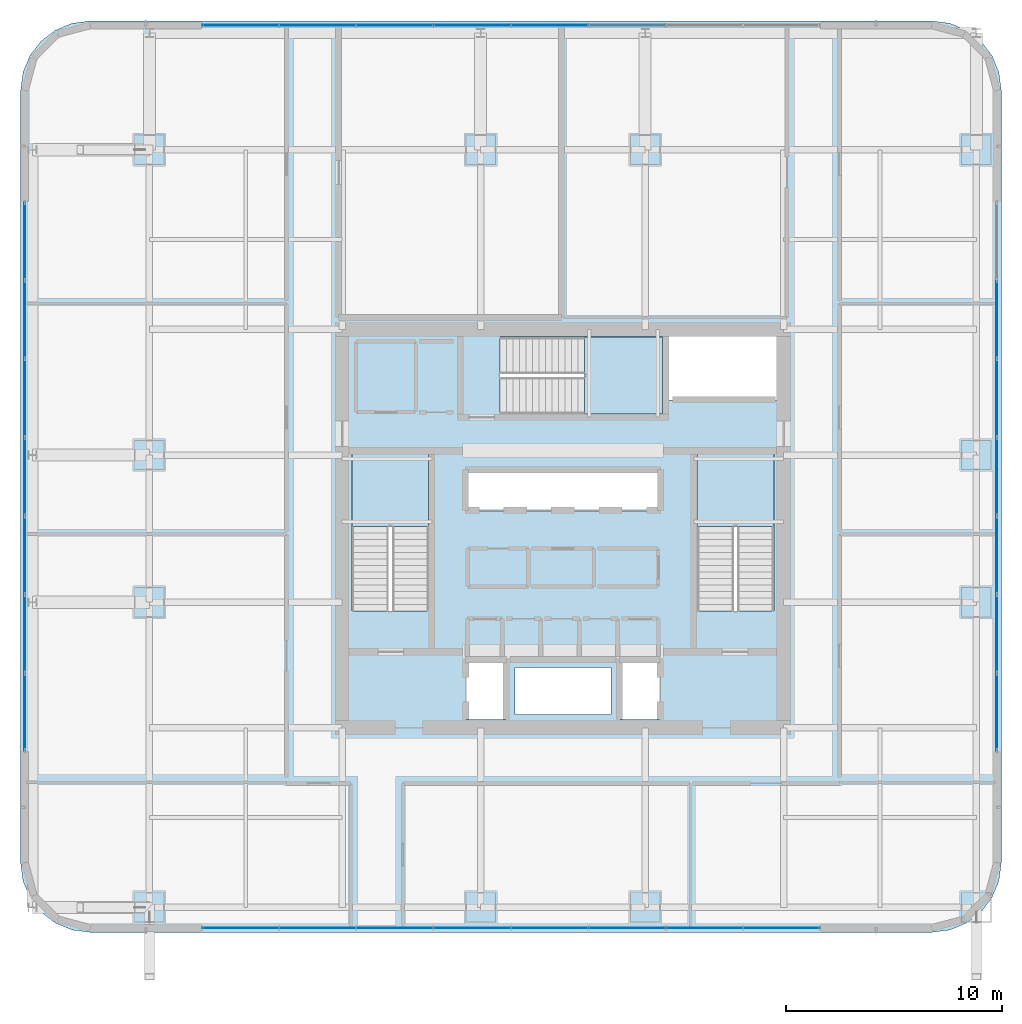
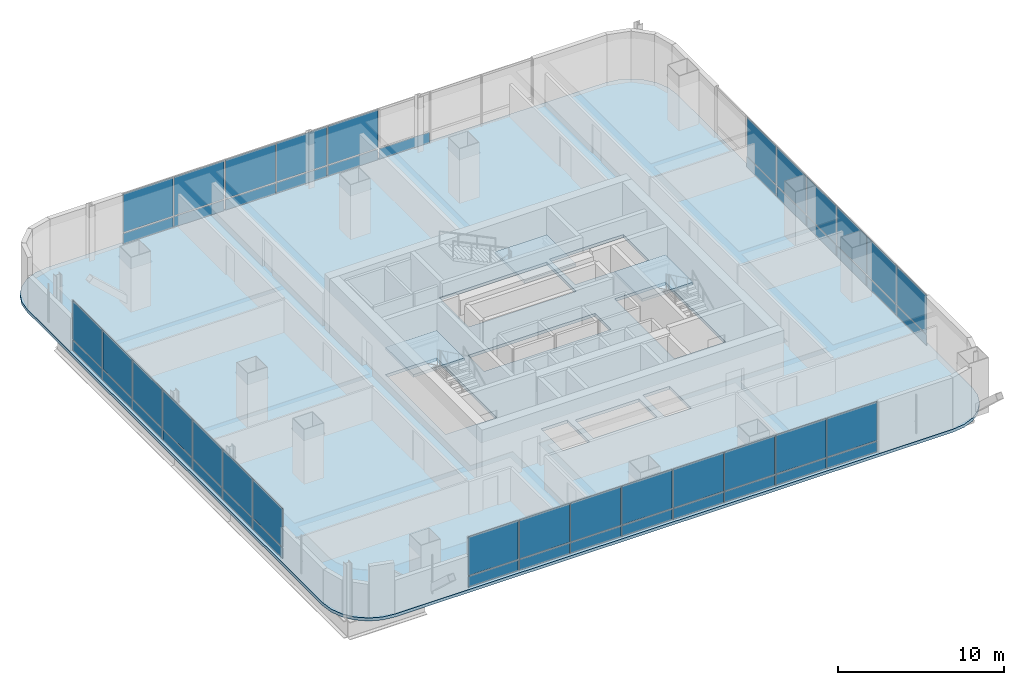
# One storey, part 29 of 47: 53 plates, 4 slabs, 7 elements without a shape of their own.
"""IFC4 building model written with IfcOpenShell, lengths in metres."""

from ifc_helpers import new_model, si_unit, direction, frame, origin, origin_2d, place, context, subcontext, project, spatial, polyline, rectangle, outline, extrude, material, layer, layer_set, type_object, element, aggregate, save


model = new_model("IFC4")

# Units and contexts
model_context = context("Model", 3, precision=1e-05, world=origin(), true_north=direction((0.0, 1.0)))
body_context = subcontext(model_context, "Body", "Model", "MODEL_VIEW")
ifc_project = project(units=[si_unit("LENGTHUNIT", "METRE"), si_unit("AREAUNIT", "SQUARE_METRE"), si_unit("VOLUMEUNIT", "CUBIC_METRE"), si_unit("PLANEANGLEUNIT", "RADIAN"), si_unit("MASSUNIT", "GRAM", prefix="KILO")], contexts=[model_context])

# Site, building, storey
site_placement = place(None, origin())
site = spatial("IfcSite", under=ifc_project, at=site_placement, CompositionType="ELEMENT")
building_placement = place(site_placement, origin())
building = spatial("IfcBuilding", under=site, at=building_placement, Name="Punatoya Terracotta Tower", CompositionType="ELEMENT")
storey_placement = place(building_placement, frame((0.0, 0.0, 168.14990234375)))
storey = spatial("IfcBuildingStorey", under=building, at=storey_placement, Name="L39", CompositionType="ELEMENT", Elevation=168.14990234375)

# Curtain wall, plates
ifc_material_1 = material(Name="Aluminium 6063-T6 + Double Low-E Glass", Category="aluminium")
curtain_wall_type = type_object("IfcCurtainWallType", Name="CW-M2", PredefinedType="NOTDEFINED", material=ifc_material_1)
curtain_wall_1_placement = place(storey_placement, origin())
curtain_wall_1 = element("IfcCurtainWall", 1, at=curtain_wall_1_placement, inside=storey, type_object=curtain_wall_type, Name="L39 Curtain Wall CW-L39-S01-1", PredefinedType="NOTDEFINED")
ifc_material_2 = material(Name="Double Low-E Acoustic Vision Glass", Category="glass")
ifc_layer_1 = layer(ifc_material_2, 0.031982421875)
ifc_layer_set_1 = layer_set([ifc_layer_1], Name="Double Low-E Acoustic Vision Glass")
plate_type_1 = type_object("IfcPlateType", Name="PLT-GLZ-32", PredefinedType="CURTAIN_PANEL", material=ifc_layer_set_1)
plate_1_placement = place(storey_placement, frame((-14.91259765625, -18.449951171875, 0.89013671875), z_axis=(0.0, 0.0, 1.0), x_axis=(1.0, 0.0, 0.0)))
plate_1 = element("IfcPlate", 2, at=plate_1_placement, type_object=plate_type_1, Name="CW-L39-S01-1 Vision Glass Panel 1", PredefinedType="CURTAIN_PANEL", context=body_context, shape_type="SweptSolid", body=[
    extrude(rectangle(XDim=3.489990234375, YDim=0.031982421875, at=origin_2d()), origin(), (0.0, 0.0, 1.0), 2.840087890625),
])
plate_2_placement = place(storey_placement, frame((-11.33740234375, -18.449951171875, 0.89013671875), z_axis=(0.0, 0.0, 1.0), x_axis=(1.0, 0.0, 0.0)))
plate_2 = element("IfcPlate", 3, at=plate_2_placement, type_object=plate_type_1, Name="CW-L39-S01-1 Vision Glass Panel 2", PredefinedType="CURTAIN_PANEL", context=body_context, shape_type="SweptSolid", body=[
    extrude(rectangle(XDim=3.489990234375, YDim=0.031982421875, at=origin_2d()), origin(), (0.0, 0.0, 1.0), 2.840087890625),
])
plate_3_placement = place(storey_placement, frame((-7.762451171875, -18.449951171875, 0.89013671875), z_axis=(0.0, 0.0, 1.0), x_axis=(1.0, 0.0, 0.0)))
plate_3 = element("IfcPlate", 4, at=plate_3_placement, type_object=plate_type_1, Name="CW-L39-S01-1 Vision Glass Panel 3", PredefinedType="CURTAIN_PANEL", context=body_context, shape_type="SweptSolid", body=[
    extrude(rectangle(XDim=3.489990234375, YDim=0.031982421875, at=origin_2d()), origin(), (0.0, 0.0, 1.0), 2.840087890625),
])
plate_4_placement = place(storey_placement, frame((-4.1875, -18.449951171875, 0.89013671875), z_axis=(0.0, 0.0, 1.0), x_axis=(1.0, 0.0, 0.0)))
plate_4 = element("IfcPlate", 5, at=plate_4_placement, type_object=plate_type_1, Name="CW-L39-S01-1 Vision Glass Panel 4", PredefinedType="CURTAIN_PANEL", context=body_context, shape_type="SweptSolid", body=[
    extrude(rectangle(XDim=3.489990234375, YDim=0.031982421875, at=origin_2d()), origin(), (0.0, 0.0, 1.0), 2.840087890625),
])
plate_5_placement = place(storey_placement, frame((-0.612548828125, -18.449951171875, 0.89013671875), z_axis=(0.0, 0.0, 1.0), x_axis=(1.0, 0.0, 0.0)))
plate_5 = element("IfcPlate", 6, at=plate_5_placement, type_object=plate_type_1, Name="CW-L39-S01-1 Vision Glass Panel 5", PredefinedType="CURTAIN_PANEL", context=body_context, shape_type="SweptSolid", body=[
    extrude(rectangle(XDim=3.489990234375, YDim=0.031982421875, at=origin_2d()), origin(), (0.0, 0.0, 1.0), 2.840087890625),
])
plate_6_placement = place(storey_placement, frame((2.96240234375, -18.449951171875, 0.89013671875), z_axis=(0.0, 0.0, 1.0), x_axis=(1.0, 0.0, 0.0)))
plate_6 = element("IfcPlate", 7, at=plate_6_placement, type_object=plate_type_1, Name="CW-L39-S01-1 Vision Glass Panel 6", PredefinedType="CURTAIN_PANEL", context=body_context, shape_type="SweptSolid", body=[
    extrude(rectangle(XDim=3.489990234375, YDim=0.031982421875, at=origin_2d()), origin(), (0.0, 0.0, 1.0), 2.840087890625),
])
plate_7_placement = place(storey_placement, frame((6.53759765625, -18.449951171875, 0.89013671875), z_axis=(0.0, 0.0, 1.0), x_axis=(1.0, 0.0, 0.0)))
plate_7 = element("IfcPlate", 8, at=plate_7_placement, type_object=plate_type_1, Name="CW-L39-S01-1 Vision Glass Panel 7", PredefinedType="CURTAIN_PANEL", context=body_context, shape_type="SweptSolid", body=[
    extrude(rectangle(XDim=3.489990234375, YDim=0.031982421875, at=origin_2d()), origin(), (0.0, 0.0, 1.0), 2.840087890625),
])
plate_8_placement = place(storey_placement, frame((10.112548828125, -18.449951171875, 0.89013671875), z_axis=(0.0, 0.0, 1.0), x_axis=(1.0, 0.0, 0.0)))
plate_8 = element("IfcPlate", 9, at=plate_8_placement, type_object=plate_type_1, Name="CW-L39-S01-1 Vision Glass Panel 8", PredefinedType="CURTAIN_PANEL", context=body_context, shape_type="SweptSolid", body=[
    extrude(rectangle(XDim=3.489990234375, YDim=0.031982421875, at=origin_2d()), origin(), (0.0, 0.0, 1.0), 2.840087890625),
])

curtain_wall_2_placement = place(storey_placement, origin())
curtain_wall_2 = element("IfcCurtainWall", 10, at=curtain_wall_2_placement, inside=storey, type_object=curtain_wall_type, Name="L39 Curtain Wall CW-L39-E05-1", PredefinedType="NOTDEFINED")
plate_9_placement = place(storey_placement, frame((20.050048828125, -8.485595703125, 0.89013671875), z_axis=(0.0, 0.0, 1.0), x_axis=(0.0, 1.0, 0.0)))
plate_9 = element("IfcPlate", 11, at=plate_9_placement, type_object=plate_type_1, Name="CW-L39-E05-1 Vision Glass Panel 1", PredefinedType="CURTAIN_PANEL", context=body_context, shape_type="SweptSolid", body=[
    extrude(rectangle(XDim=3.543701171875, YDim=0.031982421875, at=origin_2d()), origin(), (0.0, 0.0, 1.0), 2.840087890625),
])
plate_10_placement = place(storey_placement, frame((20.050048828125, -4.857177734375, 0.89013671875), z_axis=(0.0, 0.0, 1.0), x_axis=(0.0, 1.0, 0.0)))
plate_10 = element("IfcPlate", 12, at=plate_10_placement, type_object=plate_type_1, Name="CW-L39-E05-1 Vision Glass Panel 2", PredefinedType="CURTAIN_PANEL", context=body_context, shape_type="SweptSolid", body=[
    extrude(rectangle(XDim=3.543701171875, YDim=0.031982421875, at=origin_2d()), origin(), (0.0, 0.0, 1.0), 2.840087890625),
])
plate_11_placement = place(storey_placement, frame((20.050048828125, -1.228515625, 0.89013671875), z_axis=(0.0, 0.0, 1.0), x_axis=(0.0, 1.0, 0.0)))
plate_11 = element("IfcPlate", 13, at=plate_11_placement, type_object=plate_type_1, Name="CW-L39-E05-1 Vision Glass Panel 3", PredefinedType="CURTAIN_PANEL", context=body_context, shape_type="SweptSolid", body=[
    extrude(rectangle(XDim=3.543701171875, YDim=0.031982421875, at=origin_2d()), origin(), (0.0, 0.0, 1.0), 2.840087890625),
])
plate_12_placement = place(storey_placement, frame((20.050048828125, 2.39990234375, 0.89013671875), z_axis=(0.0, 0.0, 1.0), x_axis=(0.0, 1.0, 0.0)))
plate_12 = element("IfcPlate", 14, at=plate_12_placement, type_object=plate_type_1, Name="CW-L39-E05-1 Vision Glass Panel 4", PredefinedType="CURTAIN_PANEL", context=body_context, shape_type="SweptSolid", body=[
    extrude(rectangle(XDim=3.543701171875, YDim=0.031982421875, at=origin_2d()), origin(), (0.0, 0.0, 1.0), 2.840087890625),
])
plate_13_placement = place(storey_placement, frame((20.050048828125, 6.028564453125, 0.89013671875), z_axis=(0.0, 0.0, 1.0), x_axis=(0.0, 1.0, 0.0)))
plate_13 = element("IfcPlate", 15, at=plate_13_placement, type_object=plate_type_1, Name="CW-L39-E05-1 Vision Glass Panel 5", PredefinedType="CURTAIN_PANEL", context=body_context, shape_type="SweptSolid", body=[
    extrude(rectangle(XDim=3.543701171875, YDim=0.031982421875, at=origin_2d()), origin(), (0.0, 0.0, 1.0), 2.840087890625),
])
plate_14_placement = place(storey_placement, frame((20.050048828125, 9.656982421875, 0.89013671875), z_axis=(0.0, 0.0, 1.0), x_axis=(0.0, 1.0, 0.0)))
plate_14 = element("IfcPlate", 16, at=plate_14_placement, type_object=plate_type_1, Name="CW-L39-E05-1 Vision Glass Panel 6", PredefinedType="CURTAIN_PANEL", context=body_context, shape_type="SweptSolid", body=[
    extrude(rectangle(XDim=3.543701171875, YDim=0.031982421875, at=origin_2d()), origin(), (0.0, 0.0, 1.0), 2.840087890625),
])

curtain_wall_3_placement = place(storey_placement, origin())
curtain_wall_3 = element("IfcCurtainWall", 17, at=curtain_wall_3_placement, inside=storey, type_object=curtain_wall_type, Name="L39 Curtain Wall CW-L39-N09-1", PredefinedType="NOTDEFINED")
plate_15_placement = place(storey_placement, frame((-0.612548828125, 23.25, 0.89013671875), z_axis=(0.0, 0.0, 1.0), x_axis=(-1.0, 0.0, 0.0)))
plate_15 = element("IfcPlate", 18, at=plate_15_placement, type_object=plate_type_1, Name="CW-L39-N09-1 Vision Glass Panel 4", PredefinedType="CURTAIN_PANEL", context=body_context, shape_type="SweptSolid", body=[
    extrude(rectangle(XDim=3.489990234375, YDim=0.031982421875, at=origin_2d()), origin(), (0.0, 0.0, 1.0), 2.840087890625),
])
plate_16_placement = place(storey_placement, frame((-4.1875, 23.25, 0.89013671875), z_axis=(0.0, 0.0, 1.0), x_axis=(-1.0, 0.0, 0.0)))
plate_16 = element("IfcPlate", 19, at=plate_16_placement, type_object=plate_type_1, Name="CW-L39-N09-1 Vision Glass Panel 5", PredefinedType="CURTAIN_PANEL", context=body_context, shape_type="SweptSolid", body=[
    extrude(rectangle(XDim=3.489990234375, YDim=0.031982421875, at=origin_2d()), origin(), (0.0, 0.0, 1.0), 2.840087890625),
])
plate_17_placement = place(storey_placement, frame((-7.762451171875, 23.25, 0.89013671875), z_axis=(0.0, 0.0, 1.0), x_axis=(-1.0, 0.0, 0.0)))
plate_17 = element("IfcPlate", 20, at=plate_17_placement, type_object=plate_type_1, Name="CW-L39-N09-1 Vision Glass Panel 6", PredefinedType="CURTAIN_PANEL", context=body_context, shape_type="SweptSolid", body=[
    extrude(rectangle(XDim=3.489990234375, YDim=0.031982421875, at=origin_2d()), origin(), (0.0, 0.0, 1.0), 2.840087890625),
])
plate_18_placement = place(storey_placement, frame((-11.33740234375, 23.25, 0.89013671875), z_axis=(0.0, 0.0, 1.0), x_axis=(-1.0, 0.0, 0.0)))
plate_18 = element("IfcPlate", 21, at=plate_18_placement, type_object=plate_type_1, Name="CW-L39-N09-1 Vision Glass Panel 7", PredefinedType="CURTAIN_PANEL", context=body_context, shape_type="SweptSolid", body=[
    extrude(rectangle(XDim=3.489990234375, YDim=0.031982421875, at=origin_2d()), origin(), (0.0, 0.0, 1.0), 2.840087890625),
])
plate_19_placement = place(storey_placement, frame((-14.91259765625, 23.25, 0.89013671875), z_axis=(0.0, 0.0, 1.0), x_axis=(-1.0, 0.0, 0.0)))
plate_19 = element("IfcPlate", 22, at=plate_19_placement, type_object=plate_type_1, Name="CW-L39-N09-1 Vision Glass Panel 8", PredefinedType="CURTAIN_PANEL", context=body_context, shape_type="SweptSolid", body=[
    extrude(rectangle(XDim=3.489990234375, YDim=0.031982421875, at=origin_2d()), origin(), (0.0, 0.0, 1.0), 2.840087890625),
])

curtain_wall_4_placement = place(storey_placement, origin())
curtain_wall_4 = element("IfcCurtainWall", 23, at=curtain_wall_4_placement, inside=storey, type_object=curtain_wall_type, Name="L39 Curtain Wall CW-L39-W13-1", PredefinedType="NOTDEFINED")
plate_20_placement = place(storey_placement, frame((-24.85009765625, 13.28564453125, 0.89013671875), z_axis=(0.0, 0.0, 1.0), x_axis=(0.0, -1.0, 0.0)))
plate_20 = element("IfcPlate", 24, at=plate_20_placement, type_object=plate_type_1, Name="CW-L39-W13-1 Vision Glass Panel 1", PredefinedType="CURTAIN_PANEL", context=body_context, shape_type="SweptSolid", body=[
    extrude(rectangle(XDim=3.543701171875, YDim=0.031982421875, at=origin_2d()), origin(), (0.0, 0.0, 1.0), 2.840087890625),
])
plate_21_placement = place(storey_placement, frame((-24.85009765625, 9.656982421875, 0.89013671875), z_axis=(0.0, 0.0, 1.0), x_axis=(0.0, -1.0, 0.0)))
plate_21 = element("IfcPlate", 25, at=plate_21_placement, type_object=plate_type_1, Name="CW-L39-W13-1 Vision Glass Panel 2", PredefinedType="CURTAIN_PANEL", context=body_context, shape_type="SweptSolid", body=[
    extrude(rectangle(XDim=3.543701171875, YDim=0.031982421875, at=origin_2d()), origin(), (0.0, 0.0, 1.0), 2.840087890625),
])
plate_22_placement = place(storey_placement, frame((-24.85009765625, 6.028564453125, 0.89013671875), z_axis=(0.0, 0.0, 1.0), x_axis=(0.0, -1.0, 0.0)))
plate_22 = element("IfcPlate", 26, at=plate_22_placement, type_object=plate_type_1, Name="CW-L39-W13-1 Vision Glass Panel 3", PredefinedType="CURTAIN_PANEL", context=body_context, shape_type="SweptSolid", body=[
    extrude(rectangle(XDim=3.543701171875, YDim=0.031982421875, at=origin_2d()), origin(), (0.0, 0.0, 1.0), 2.840087890625),
])
plate_23_placement = place(storey_placement, frame((-24.85009765625, 2.39990234375, 0.89013671875), z_axis=(0.0, 0.0, 1.0), x_axis=(0.0, -1.0, 0.0)))
plate_23 = element("IfcPlate", 27, at=plate_23_placement, type_object=plate_type_1, Name="CW-L39-W13-1 Vision Glass Panel 4", PredefinedType="CURTAIN_PANEL", context=body_context, shape_type="SweptSolid", body=[
    extrude(rectangle(XDim=3.543701171875, YDim=0.031982421875, at=origin_2d()), origin(), (0.0, 0.0, 1.0), 2.840087890625),
])
plate_24_placement = place(storey_placement, frame((-24.85009765625, -1.228515625, 0.89013671875), z_axis=(0.0, 0.0, 1.0), x_axis=(0.0, -1.0, 0.0)))
plate_24 = element("IfcPlate", 28, at=plate_24_placement, type_object=plate_type_1, Name="CW-L39-W13-1 Vision Glass Panel 5", PredefinedType="CURTAIN_PANEL", context=body_context, shape_type="SweptSolid", body=[
    extrude(rectangle(XDim=3.543701171875, YDim=0.031982421875, at=origin_2d()), origin(), (0.0, 0.0, 1.0), 2.840087890625),
])
plate_25_placement = place(storey_placement, frame((-24.85009765625, -4.857177734375, 0.89013671875), z_axis=(0.0, 0.0, 1.0), x_axis=(0.0, -1.0, 0.0)))
plate_25 = element("IfcPlate", 29, at=plate_25_placement, type_object=plate_type_1, Name="CW-L39-W13-1 Vision Glass Panel 6", PredefinedType="CURTAIN_PANEL", context=body_context, shape_type="SweptSolid", body=[
    extrude(rectangle(XDim=3.543701171875, YDim=0.031982421875, at=origin_2d()), origin(), (0.0, 0.0, 1.0), 2.840087890625),
])
plate_26_placement = place(storey_placement, frame((-24.85009765625, -8.485595703125, 0.89013671875), z_axis=(0.0, 0.0, 1.0), x_axis=(0.0, -1.0, 0.0)))
plate_26 = element("IfcPlate", 30, at=plate_26_placement, type_object=plate_type_1, Name="CW-L39-W13-1 Vision Glass Panel 7", PredefinedType="CURTAIN_PANEL", context=body_context, shape_type="SweptSolid", body=[
    extrude(rectangle(XDim=3.543701171875, YDim=0.031982421875, at=origin_2d()), origin(), (0.0, 0.0, 1.0), 2.840087890625),
])

# Plate
ifc_material_3 = material(Name="Insulated Terracotta-Backed Spandrel Panel", Category="masonry")
ifc_layer_2 = layer(ifc_material_3, 0.044921875)
ifc_layer_set_2 = layer_set([ifc_layer_2], Name="Insulated Terracotta-Backed Spandrel Panel")
plate_type_2 = type_object("IfcPlateType", Name="PLT-SPN-45", PredefinedType="CURTAIN_PANEL", material=ifc_layer_set_2)
plate_27_placement = place(storey_placement, frame((-14.91259765625, -18.449951171875, 0.0400390625), z_axis=(0.0, 0.0, 1.0), x_axis=(1.0, 0.0, 0.0)))
plate_27 = element("IfcPlate", 31, at=plate_27_placement, type_object=plate_type_2, Name="CW-L39-S01-1 Terracotta Spandrel Panel 1", PredefinedType="CURTAIN_PANEL", context=body_context, shape_type="SweptSolid", body=[
    extrude(rectangle(XDim=3.489990234375, YDim=0.044921875, at=origin_2d()), origin(), (0.0, 0.0, 1.0), 0.77490234375),
])

plate_28_placement = place(storey_placement, frame((-11.33740234375, -18.449951171875, 0.0400390625), z_axis=(0.0, 0.0, 1.0), x_axis=(1.0, 0.0, 0.0)))
plate_28 = element("IfcPlate", 32, at=plate_28_placement, type_object=plate_type_2, Name="CW-L39-S01-1 Terracotta Spandrel Panel 2", PredefinedType="CURTAIN_PANEL", context=body_context, shape_type="SweptSolid", body=[
    extrude(rectangle(XDim=3.489990234375, YDim=0.044921875, at=origin_2d()), origin(), (0.0, 0.0, 1.0), 0.77490234375),
])

plate_29_placement = place(storey_placement, frame((-7.762451171875, -18.449951171875, 0.0400390625), z_axis=(0.0, 0.0, 1.0), x_axis=(1.0, 0.0, 0.0)))
plate_29 = element("IfcPlate", 33, at=plate_29_placement, type_object=plate_type_2, Name="CW-L39-S01-1 Terracotta Spandrel Panel 3", PredefinedType="CURTAIN_PANEL", context=body_context, shape_type="SweptSolid", body=[
    extrude(rectangle(XDim=3.489990234375, YDim=0.044921875, at=origin_2d()), origin(), (0.0, 0.0, 1.0), 0.77490234375),
])

plate_30_placement = place(storey_placement, frame((-4.1875, -18.449951171875, 0.0400390625), z_axis=(0.0, 0.0, 1.0), x_axis=(1.0, 0.0, 0.0)))
plate_30 = element("IfcPlate", 34, at=plate_30_placement, type_object=plate_type_2, Name="CW-L39-S01-1 Terracotta Spandrel Panel 4", PredefinedType="CURTAIN_PANEL", context=body_context, shape_type="SweptSolid", body=[
    extrude(rectangle(XDim=3.489990234375, YDim=0.044921875, at=origin_2d()), origin(), (0.0, 0.0, 1.0), 0.77490234375),
])

plate_31_placement = place(storey_placement, frame((-0.612548828125, -18.449951171875, 0.0400390625), z_axis=(0.0, 0.0, 1.0), x_axis=(1.0, 0.0, 0.0)))
plate_31 = element("IfcPlate", 35, at=plate_31_placement, type_object=plate_type_2, Name="CW-L39-S01-1 Terracotta Spandrel Panel 5", PredefinedType="CURTAIN_PANEL", context=body_context, shape_type="SweptSolid", body=[
    extrude(rectangle(XDim=3.489990234375, YDim=0.044921875, at=origin_2d()), origin(), (0.0, 0.0, 1.0), 0.77490234375),
])

plate_32_placement = place(storey_placement, frame((2.96240234375, -18.449951171875, 0.0400390625), z_axis=(0.0, 0.0, 1.0), x_axis=(1.0, 0.0, 0.0)))
plate_32 = element("IfcPlate", 36, at=plate_32_placement, type_object=plate_type_2, Name="CW-L39-S01-1 Terracotta Spandrel Panel 6", PredefinedType="CURTAIN_PANEL", context=body_context, shape_type="SweptSolid", body=[
    extrude(rectangle(XDim=3.489990234375, YDim=0.044921875, at=origin_2d()), origin(), (0.0, 0.0, 1.0), 0.77490234375),
])

plate_33_placement = place(storey_placement, frame((6.53759765625, -18.449951171875, 0.0400390625), z_axis=(0.0, 0.0, 1.0), x_axis=(1.0, 0.0, 0.0)))
plate_33 = element("IfcPlate", 37, at=plate_33_placement, type_object=plate_type_2, Name="CW-L39-S01-1 Terracotta Spandrel Panel 7", PredefinedType="CURTAIN_PANEL", context=body_context, shape_type="SweptSolid", body=[
    extrude(rectangle(XDim=3.489990234375, YDim=0.044921875, at=origin_2d()), origin(), (0.0, 0.0, 1.0), 0.77490234375),
])

plate_34_placement = place(storey_placement, frame((10.112548828125, -18.449951171875, 0.0400390625), z_axis=(0.0, 0.0, 1.0), x_axis=(1.0, 0.0, 0.0)))
plate_34 = element("IfcPlate", 38, at=plate_34_placement, type_object=plate_type_2, Name="CW-L39-S01-1 Terracotta Spandrel Panel 8", PredefinedType="CURTAIN_PANEL", context=body_context, shape_type="SweptSolid", body=[
    extrude(rectangle(XDim=3.489990234375, YDim=0.044921875, at=origin_2d()), origin(), (0.0, 0.0, 1.0), 0.77490234375),
])

aggregate(curtain_wall_1, [plate_27, plate_1, plate_28, plate_2, plate_29, plate_3, plate_30, plate_4, plate_31, plate_5, plate_32, plate_6, plate_33, plate_7, plate_34, plate_8])

plate_35_placement = place(storey_placement, frame((20.050048828125, -8.485595703125, 0.0400390625), z_axis=(0.0, 0.0, 1.0), x_axis=(0.0, 1.0, 0.0)))
plate_35 = element("IfcPlate", 39, at=plate_35_placement, type_object=plate_type_2, Name="CW-L39-E05-1 Terracotta Spandrel Panel 1", PredefinedType="CURTAIN_PANEL", context=body_context, shape_type="SweptSolid", body=[
    extrude(rectangle(XDim=3.543701171875, YDim=0.044921875, at=origin_2d()), origin(), (0.0, 0.0, 1.0), 0.77490234375),
])

plate_36_placement = place(storey_placement, frame((20.050048828125, -4.857177734375, 0.0400390625), z_axis=(0.0, 0.0, 1.0), x_axis=(0.0, 1.0, 0.0)))
plate_36 = element("IfcPlate", 40, at=plate_36_placement, type_object=plate_type_2, Name="CW-L39-E05-1 Terracotta Spandrel Panel 2", PredefinedType="CURTAIN_PANEL", context=body_context, shape_type="SweptSolid", body=[
    extrude(rectangle(XDim=3.543701171875, YDim=0.044921875, at=origin_2d()), origin(), (0.0, 0.0, 1.0), 0.77490234375),
])

plate_37_placement = place(storey_placement, frame((20.050048828125, -1.228515625, 0.0400390625), z_axis=(0.0, 0.0, 1.0), x_axis=(0.0, 1.0, 0.0)))
plate_37 = element("IfcPlate", 41, at=plate_37_placement, type_object=plate_type_2, Name="CW-L39-E05-1 Terracotta Spandrel Panel 3", PredefinedType="CURTAIN_PANEL", context=body_context, shape_type="SweptSolid", body=[
    extrude(rectangle(XDim=3.543701171875, YDim=0.044921875, at=origin_2d()), origin(), (0.0, 0.0, 1.0), 0.77490234375),
])

plate_38_placement = place(storey_placement, frame((20.050048828125, 2.39990234375, 0.0400390625), z_axis=(0.0, 0.0, 1.0), x_axis=(0.0, 1.0, 0.0)))
plate_38 = element("IfcPlate", 42, at=plate_38_placement, type_object=plate_type_2, Name="CW-L39-E05-1 Terracotta Spandrel Panel 4", PredefinedType="CURTAIN_PANEL", context=body_context, shape_type="SweptSolid", body=[
    extrude(rectangle(XDim=3.543701171875, YDim=0.044921875, at=origin_2d()), origin(), (0.0, 0.0, 1.0), 0.77490234375),
])

plate_39_placement = place(storey_placement, frame((20.050048828125, 6.028564453125, 0.0400390625), z_axis=(0.0, 0.0, 1.0), x_axis=(0.0, 1.0, 0.0)))
plate_39 = element("IfcPlate", 43, at=plate_39_placement, type_object=plate_type_2, Name="CW-L39-E05-1 Terracotta Spandrel Panel 5", PredefinedType="CURTAIN_PANEL", context=body_context, shape_type="SweptSolid", body=[
    extrude(rectangle(XDim=3.543701171875, YDim=0.044921875, at=origin_2d()), origin(), (0.0, 0.0, 1.0), 0.77490234375),
])

plate_40_placement = place(storey_placement, frame((20.050048828125, 9.656982421875, 0.0400390625), z_axis=(0.0, 0.0, 1.0), x_axis=(0.0, 1.0, 0.0)))
plate_40 = element("IfcPlate", 44, at=plate_40_placement, type_object=plate_type_2, Name="CW-L39-E05-1 Terracotta Spandrel Panel 6", PredefinedType="CURTAIN_PANEL", context=body_context, shape_type="SweptSolid", body=[
    extrude(rectangle(XDim=3.543701171875, YDim=0.044921875, at=origin_2d()), origin(), (0.0, 0.0, 1.0), 0.77490234375),
])

aggregate(curtain_wall_2, [plate_35, plate_9, plate_36, plate_10, plate_37, plate_11, plate_38, plate_12, plate_39, plate_13, plate_40, plate_14])

plate_41_placement = place(storey_placement, frame((2.96240234375, 23.25, 0.0400390625), z_axis=(0.0, 0.0, 1.0), x_axis=(-1.0, 0.0, 0.0)))
plate_41 = element("IfcPlate", 45, at=plate_41_placement, type_object=plate_type_2, Name="CW-L39-N09-1 Terracotta Spandrel Panel 3", PredefinedType="CURTAIN_PANEL", context=body_context, shape_type="SweptSolid", body=[
    extrude(rectangle(XDim=3.489990234375, YDim=0.044921875, at=origin_2d()), origin(), (0.0, 0.0, 1.0), 0.77490234375),
])

plate_42_placement = place(storey_placement, frame((-0.612548828125, 23.25, 0.0400390625), z_axis=(0.0, 0.0, 1.0), x_axis=(-1.0, 0.0, 0.0)))
plate_42 = element("IfcPlate", 46, at=plate_42_placement, type_object=plate_type_2, Name="CW-L39-N09-1 Terracotta Spandrel Panel 4", PredefinedType="CURTAIN_PANEL", context=body_context, shape_type="SweptSolid", body=[
    extrude(rectangle(XDim=3.489990234375, YDim=0.044921875, at=origin_2d()), origin(), (0.0, 0.0, 1.0), 0.77490234375),
])

plate_43_placement = place(storey_placement, frame((-4.1875, 23.25, 0.0400390625), z_axis=(0.0, 0.0, 1.0), x_axis=(-1.0, 0.0, 0.0)))
plate_43 = element("IfcPlate", 47, at=plate_43_placement, type_object=plate_type_2, Name="CW-L39-N09-1 Terracotta Spandrel Panel 5", PredefinedType="CURTAIN_PANEL", context=body_context, shape_type="SweptSolid", body=[
    extrude(rectangle(XDim=3.489990234375, YDim=0.044921875, at=origin_2d()), origin(), (0.0, 0.0, 1.0), 0.77490234375),
])

plate_44_placement = place(storey_placement, frame((-7.762451171875, 23.25, 0.0400390625), z_axis=(0.0, 0.0, 1.0), x_axis=(-1.0, 0.0, 0.0)))
plate_44 = element("IfcPlate", 48, at=plate_44_placement, type_object=plate_type_2, Name="CW-L39-N09-1 Terracotta Spandrel Panel 6", PredefinedType="CURTAIN_PANEL", context=body_context, shape_type="SweptSolid", body=[
    extrude(rectangle(XDim=3.489990234375, YDim=0.044921875, at=origin_2d()), origin(), (0.0, 0.0, 1.0), 0.77490234375),
])

plate_45_placement = place(storey_placement, frame((-11.33740234375, 23.25, 0.0400390625), z_axis=(0.0, 0.0, 1.0), x_axis=(-1.0, 0.0, 0.0)))
plate_45 = element("IfcPlate", 49, at=plate_45_placement, type_object=plate_type_2, Name="CW-L39-N09-1 Terracotta Spandrel Panel 7", PredefinedType="CURTAIN_PANEL", context=body_context, shape_type="SweptSolid", body=[
    extrude(rectangle(XDim=3.489990234375, YDim=0.044921875, at=origin_2d()), origin(), (0.0, 0.0, 1.0), 0.77490234375),
])

plate_46_placement = place(storey_placement, frame((-14.91259765625, 23.25, 0.0400390625), z_axis=(0.0, 0.0, 1.0), x_axis=(-1.0, 0.0, 0.0)))
plate_46 = element("IfcPlate", 50, at=plate_46_placement, type_object=plate_type_2, Name="CW-L39-N09-1 Terracotta Spandrel Panel 8", PredefinedType="CURTAIN_PANEL", context=body_context, shape_type="SweptSolid", body=[
    extrude(rectangle(XDim=3.489990234375, YDim=0.044921875, at=origin_2d()), origin(), (0.0, 0.0, 1.0), 0.77490234375),
])

aggregate(curtain_wall_3, [plate_41, plate_42, plate_15, plate_43, plate_16, plate_44, plate_17, plate_45, plate_18, plate_46, plate_19])

plate_47_placement = place(storey_placement, frame((-24.85009765625, 13.28564453125, 0.0400390625), z_axis=(0.0, 0.0, 1.0), x_axis=(0.0, -1.0, 0.0)))
plate_47 = element("IfcPlate", 51, at=plate_47_placement, type_object=plate_type_2, Name="CW-L39-W13-1 Terracotta Spandrel Panel 1", PredefinedType="CURTAIN_PANEL", context=body_context, shape_type="SweptSolid", body=[
    extrude(rectangle(XDim=3.543701171875, YDim=0.044921875, at=origin_2d()), origin(), (0.0, 0.0, 1.0), 0.77490234375),
])

plate_48_placement = place(storey_placement, frame((-24.85009765625, 9.656982421875, 0.0400390625), z_axis=(0.0, 0.0, 1.0), x_axis=(0.0, -1.0, 0.0)))
plate_48 = element("IfcPlate", 52, at=plate_48_placement, type_object=plate_type_2, Name="CW-L39-W13-1 Terracotta Spandrel Panel 2", PredefinedType="CURTAIN_PANEL", context=body_context, shape_type="SweptSolid", body=[
    extrude(rectangle(XDim=3.543701171875, YDim=0.044921875, at=origin_2d()), origin(), (0.0, 0.0, 1.0), 0.77490234375),
])

plate_49_placement = place(storey_placement, frame((-24.85009765625, 6.028564453125, 0.0400390625), z_axis=(0.0, 0.0, 1.0), x_axis=(0.0, -1.0, 0.0)))
plate_49 = element("IfcPlate", 53, at=plate_49_placement, type_object=plate_type_2, Name="CW-L39-W13-1 Terracotta Spandrel Panel 3", PredefinedType="CURTAIN_PANEL", context=body_context, shape_type="SweptSolid", body=[
    extrude(rectangle(XDim=3.543701171875, YDim=0.044921875, at=origin_2d()), origin(), (0.0, 0.0, 1.0), 0.77490234375),
])

plate_50_placement = place(storey_placement, frame((-24.85009765625, 2.39990234375, 0.0400390625), z_axis=(0.0, 0.0, 1.0), x_axis=(0.0, -1.0, 0.0)))
plate_50 = element("IfcPlate", 54, at=plate_50_placement, type_object=plate_type_2, Name="CW-L39-W13-1 Terracotta Spandrel Panel 4", PredefinedType="CURTAIN_PANEL", context=body_context, shape_type="SweptSolid", body=[
    extrude(rectangle(XDim=3.543701171875, YDim=0.044921875, at=origin_2d()), origin(), (0.0, 0.0, 1.0), 0.77490234375),
])

plate_51_placement = place(storey_placement, frame((-24.85009765625, -1.228515625, 0.0400390625), z_axis=(0.0, 0.0, 1.0), x_axis=(0.0, -1.0, 0.0)))
plate_51 = element("IfcPlate", 55, at=plate_51_placement, type_object=plate_type_2, Name="CW-L39-W13-1 Terracotta Spandrel Panel 5", PredefinedType="CURTAIN_PANEL", context=body_context, shape_type="SweptSolid", body=[
    extrude(rectangle(XDim=3.543701171875, YDim=0.044921875, at=origin_2d()), origin(), (0.0, 0.0, 1.0), 0.77490234375),
])

plate_52_placement = place(storey_placement, frame((-24.85009765625, -4.857177734375, 0.0400390625), z_axis=(0.0, 0.0, 1.0), x_axis=(0.0, -1.0, 0.0)))
plate_52 = element("IfcPlate", 56, at=plate_52_placement, type_object=plate_type_2, Name="CW-L39-W13-1 Terracotta Spandrel Panel 6", PredefinedType="CURTAIN_PANEL", context=body_context, shape_type="SweptSolid", body=[
    extrude(rectangle(XDim=3.543701171875, YDim=0.044921875, at=origin_2d()), origin(), (0.0, 0.0, 1.0), 0.77490234375),
])

plate_53_placement = place(storey_placement, frame((-24.85009765625, -8.485595703125, 0.0400390625), z_axis=(0.0, 0.0, 1.0), x_axis=(0.0, -1.0, 0.0)))
plate_53 = element("IfcPlate", 57, at=plate_53_placement, type_object=plate_type_2, Name="CW-L39-W13-1 Terracotta Spandrel Panel 7", PredefinedType="CURTAIN_PANEL", context=body_context, shape_type="SweptSolid", body=[
    extrude(rectangle(XDim=3.543701171875, YDim=0.044921875, at=origin_2d()), origin(), (0.0, 0.0, 1.0), 0.77490234375),
])

aggregate(curtain_wall_4, [plate_47, plate_20, plate_48, plate_21, plate_49, plate_22, plate_50, plate_23, plate_51, plate_24, plate_52, plate_25, plate_53, plate_26])

# Stair, slab
ifc_material_4 = material(Name="Concrete C40/50", Category="concrete")
stair_type_1 = type_object("IfcStairType", Name="STR-TER-1450", PredefinedType="HALF_TURN_STAIR", material=ifc_material_4)
stair_1_placement = place(storey_placement, origin())
stair_1 = element("IfcStair", 58, at=stair_1_placement, inside=storey, type_object=stair_type_1, Name="L39 Protected Core Exit Stair ST-3", PredefinedType="HALF_TURN_STAIR")
ifc_layer_3 = layer(ifc_material_4, 0.1650390625)
ifc_layer_set_3 = layer_set([ifc_layer_3], Name="Concrete C40/50")
slab_type_1 = type_object("IfcSlabType", Name="SLB-LND-165", PredefinedType="LANDING", material=ifc_layer_set_3)
slab_1_placement = place(storey_placement, frame((0.0, 0.0, 1.8251953125)))
slab_1 = element("IfcSlab", 59, at=slab_1_placement, type_object=slab_type_1, Name="ST-3 landing 1", PredefinedType="LANDING", context=body_context, shape_type="SweptSolid", body=[
    extrude(outline(polyline([(1.0, 5.300048828125), (4.60009765625, 5.300048828125), (4.60009765625, 8.85009765625), (1.0, 8.85009765625), (1.0, 5.300048828125)])), origin(), (0.0, 0.0, 1.0), 0.199951171875),
])
aggregate(stair_1, [slab_1])

stair_type_2 = type_object("IfcStairType", Name="STR-CORE-1550", PredefinedType="HALF_TURN_STAIR", material=ifc_material_4)
stair_2_placement = place(storey_placement, origin())
stair_2 = element("IfcStair", 60, at=stair_2_placement, inside=storey, type_object=stair_type_2, Name="L39 Protected Core Exit Stair ST-1", PredefinedType="HALF_TURN_STAIR")
ifc_layer_4 = layer(ifc_material_4, 0.179931640625)
ifc_layer_set_4 = layer_set([ifc_layer_4], Name="Concrete C40/50")
slab_type_2 = type_object("IfcSlabType", Name="SLB-LND-180", PredefinedType="LANDING", material=ifc_layer_set_4)
slab_2_placement = place(storey_placement, frame((0.0, 0.0, 1.8251953125)))
slab_2 = element("IfcSlab", 61, at=slab_2_placement, type_object=slab_type_2, Name="ST-1 landing 1", PredefinedType="LANDING", context=body_context, shape_type="SweptSolid", body=[
    extrude(outline(polyline([(-6.199951171875, 0.10009765625), (-6.199951171875, 3.449951171875), (-9.75, 3.449951171875), (-9.75, 0.10009765625), (-6.199951171875, 0.10009765625)])), origin(), (0.0, 0.0, 1.0), 0.199951171875),
])
aggregate(stair_2, [slab_2])

stair_type_3 = type_object("IfcStairType", Name="STR-LOB-1650", PredefinedType="HALF_TURN_STAIR", material=ifc_material_4)
stair_3_placement = place(storey_placement, origin())
stair_3 = element("IfcStair", 62, at=stair_3_placement, inside=storey, type_object=stair_type_3, Name="L39 Protected Core Exit Stair ST-2", PredefinedType="HALF_TURN_STAIR")
slab_3_placement = place(storey_placement, frame((0.0, 0.0, 1.8251953125)))
slab_3 = element("IfcSlab", 63, at=slab_3_placement, type_object=slab_type_2, Name="ST-2 landing 1", PredefinedType="LANDING", context=body_context, shape_type="SweptSolid", body=[
    extrude(outline(polyline([(9.75, 0.10009765625), (9.75, 3.449951171875), (6.199951171875, 3.449951171875), (6.199951171875, 0.10009765625), (9.75, 0.10009765625)])), origin(), (0.0, 0.0, 1.0), 0.199951171875),
])
aggregate(stair_3, [slab_3])

# Slab
ifc_layer_5 = layer(ifc_material_4, 0.219970703125)
ifc_layer_set_5 = layer_set([ifc_layer_5], Name="Concrete C40/50")
slab_type_3 = type_object("IfcSlabType", Name="SLB-OFF-220", PredefinedType="FLOOR", material=ifc_layer_set_5)
slab_4_placement = place(storey_placement, frame((0.0, 0.0, -0.219970703125)))
element("IfcSlab", 64, at=slab_4_placement, inside=storey, type_object=slab_type_3, Name="L39 Structural Floor Slab", PredefinedType="FLOOR", context=body_context, shape_type="SweptSolid", body=[
    extrude(outline(polyline([(-21.85009765625, -18.64990234375), (-22.67822265625, -18.541015625), (-23.449951171875, -18.22119140625), (-24.11279296875, -17.712646484375), (-24.621337890625, -17.050048828125), (-24.94091796875, -16.2783203125), (-25.050048828125, -15.449951171875), (-25.050048828125, 20.25), (-24.94091796875, 21.078125), (-24.621337890625, 21.85009765625), (-24.11279296875, 22.5126953125), (-23.449951171875, 23.021240234375), (-22.67822265625, 23.341064453125), (-21.85009765625, 23.449951171875), (17.050048828125, 23.449951171875), (17.878173828125, 23.341064453125), (18.64990234375, 23.021240234375), (19.312744140625, 22.5126953125), (19.8212890625, 21.85009765625), (20.14111328125, 21.078125), (20.25, 20.25), (20.25, -15.449951171875), (20.14111328125, -16.2783203125), (19.8212890625, -17.050048828125), (19.312744140625, -17.712646484375), (18.64990234375, -18.22119140625), (17.878173828125, -18.541015625), (17.050048828125, -18.64990234375), (-21.85009765625, -18.64990234375)]), holes=[polyline([(-2.6298828125, -6.179931640625), (-4.469970703125, -6.179931640625), (-4.469970703125, -8.820068359375), (-2.6298828125, -8.820068359375), (-2.6298828125, -6.179931640625)]), polyline([(0.02001953125, -8.594970703125), (2.219970703125, -8.594970703125), (2.219970703125, -6.405029296875), (0.02001953125, -6.405029296875), (-0.02001953125, -6.405029296875), (-2.219970703125, -6.405029296875), (-2.219970703125, -8.594970703125), (-0.02001953125, -8.594970703125), (0.02001953125, -8.594970703125)]), polyline([(-6.199951171875, 3.449951171875), (-9.75, 3.449951171875), (-9.75, -3.79931640625), (-6.199951171875, -3.79931640625), (-6.199951171875, 3.449951171875)]), polyline([(-4.419921875, 2.719970703125), (-4.419921875, 0.780029296875), (-2.219970703125, 0.780029296875), (-2.179931640625, 0.780029296875), (-0.02001953125, 0.780029296875), (0.02001953125, 0.780029296875), (2.179931640625, 0.780029296875), (2.219970703125, 0.780029296875), (4.419921875, 0.780029296875), (4.419921875, 2.719970703125), (2.219970703125, 2.719970703125), (2.179931640625, 2.719970703125), (0.02001953125, 2.719970703125), (-0.02001953125, 2.719970703125), (-2.179931640625, 2.719970703125), (-2.219970703125, 2.719970703125), (-4.419921875, 2.719970703125)]), polyline([(4.60009765625, 5.300048828125), (4.60009765625, 8.85009765625), (-2.899169921875, 8.85009765625), (-2.899169921875, 5.300048828125), (4.60009765625, 5.300048828125)]), polyline([(4.469970703125, -8.820068359375), (4.469970703125, -6.179931640625), (2.6298828125, -6.179931640625), (2.6298828125, -8.820068359375), (4.469970703125, -8.820068359375)]), polyline([(9.75, 3.449951171875), (6.199951171875, 3.449951171875), (6.199951171875, -3.79931640625), (9.75, -3.79931640625), (9.75, 3.449951171875)]), polyline([(10.050048828125, 5.949951171875), (10.050048828125, 9.050048828125), (4.89990234375, 9.050048828125), (4.89990234375, 5.949951171875), (10.050048828125, 5.949951171875)])]), origin(), (0.0, 0.0, 1.0), 0.219970703125),
])

save(model, "model.ifc")
